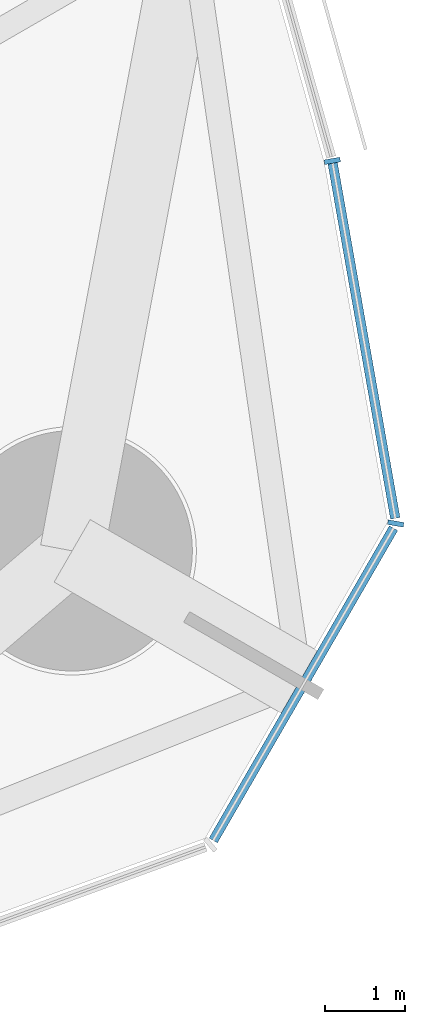
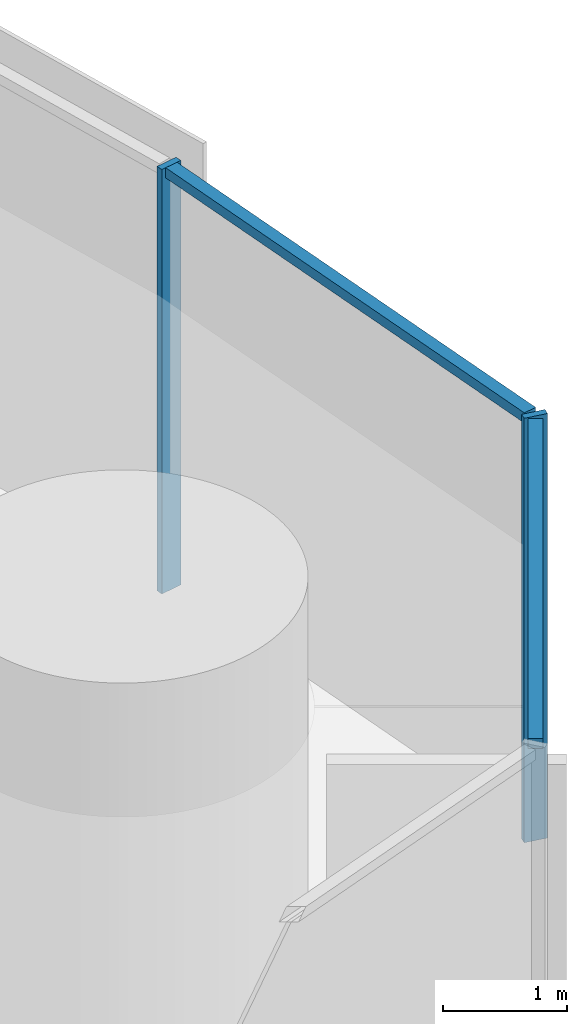
# One storey, part 9 of 19: 4 members, 1 element without a shape of its own.
"""IFC4 building model written with IfcOpenShell, lengths in metres."""

from ifc_helpers import new_model, si_unit, direction, frame, origin, origin_2d, place, context, subcontext, project, spatial, rectangle, extrude, material, material_profile, profile_set, type_object, element, aggregate, save


model = new_model("IFC4")

# Units and contexts
model_context = context("Model", 3, precision=1e-05, world=origin(), true_north=direction((0.0, 1.0)))
body_context = subcontext(model_context, "Body", "Model", "MODEL_VIEW")
ifc_project = project(units=[si_unit("LENGTHUNIT", "METRE"), si_unit("AREAUNIT", "SQUARE_METRE"), si_unit("VOLUMEUNIT", "CUBIC_METRE"), si_unit("PLANEANGLEUNIT", "RADIAN"), si_unit("MASSUNIT", "GRAM", prefix="KILO")], contexts=[model_context])

# Site, building, storey
site_placement = place(None, origin())
site = spatial("IfcSite", under=ifc_project, at=site_placement, CompositionType="ELEMENT")
building_placement = place(site_placement, origin())
building = spatial("IfcBuilding", under=site, at=building_placement, Name="Trefoil Bronze Tower", CompositionType="ELEMENT")
storey_placement = place(building_placement, frame((0.0, 0.0, 248.5)))
storey = spatial("IfcBuildingStorey", under=building, at=storey_placement, Name="L57", CompositionType="ELEMENT", Elevation=248.5)

# Curtain wall, members
ifc_material_1 = material(Name="Tinted solar-control glass", Category="glass")
curtain_wall_type = type_object("IfcCurtainWallType", Name="Bronze rounded corner curtain wall", PredefinedType="USERDEFINED", material=ifc_material_1)
curtain_wall_placement = place(storey_placement, origin())
curtain_wall = element("IfcCurtainWall", 1, at=curtain_wall_placement, inside=storey, type_object=curtain_wall_type, Name="CW-B L57 K1", ObjectType="CURTAIN WALL", PredefinedType="USERDEFINED")
ifc_material_2 = material(Name="Bronze-finish aluminium", Category="aluminium")
ifc_material_profile_1 = material_profile(ifc_material_2, rectangle(XDim=0.199951171875, YDim=0.06005859375, at=origin_2d()), Name="CW-B mullion")
ifc_profile_set_1 = profile_set([ifc_material_profile_1], Name="Bronze-finish aluminium")
member_type_1 = type_object("IfcMemberType", Name="Bronze rounded corner curtain wall mullion", PredefinedType="MULLION", material=ifc_profile_set_1)
member_1_placement = place(storey_placement, frame((32.616943359375, -16.158935546875, 0.0), z_axis=(0.0, 0.0, 1.0), x_axis=(-0.984807753012, 0.173648177667, 0.0)))
member_1 = element("IfcMember", 2, at=member_1_placement, type_object=member_type_1, Name="CW-B L57 K1 mullion 3", PredefinedType="MULLION", context=body_context, shape_type="SweptSolid", body=[
    extrude(rectangle(XDim=0.199951171875, YDim=0.06005859375, at=origin_2d()), origin(), (0.0, 0.0, 1.0), 4.179931640625),
])
member_2_placement = place(storey_placement, frame((31.824951171875, -11.63330078125, 0.0), z_axis=(0.0, 0.0, 1.0), x_axis=(-0.984807753012, -0.173648177667, 0.0)))
member_2 = element("IfcMember", 3, at=member_2_placement, type_object=member_type_1, Name="CW-B L57 K1 mullion 4", PredefinedType="MULLION", context=body_context, shape_type="SweptSolid", body=[
    extrude(rectangle(XDim=0.199951171875, YDim=0.06005859375, at=origin_2d()), origin(), (0.0, 0.0, 1.0), 4.179931640625),
])
ifc_material_3 = material(Name="Bronze-finish aluminium", Category="aluminium")
ifc_material_profile_2 = material_profile(ifc_material_3, rectangle(XDim=0.1201171875, YDim=0.10009765625, at=origin_2d()), Name="CW-B transom")
ifc_profile_set_2 = profile_set([ifc_material_profile_2], Name="Bronze-finish aluminium")
member_type_2 = type_object("IfcMemberType", Name="Bronze rounded corner curtain wall transom", PredefinedType="USERDEFINED", material=ifc_profile_set_2)
member_3_placement = place(storey_placement, frame((30.33984375, -20.114990234375, 4.1298828125), z_axis=(0.500007335828, 0.866021168401, 0.0), x_axis=(-0.866021168401, 0.500007335828, 0.0)))
member_3 = element("IfcMember", 4, at=member_3_placement, type_object=member_type_2, Name="CW-B L57 K1 transom 2", ObjectType="TRANSOM", PredefinedType="USERDEFINED", context=body_context, shape_type="SweptSolid", body=[
    extrude(rectangle(XDim=0.1201171875, YDim=0.10009765625, at=origin_2d()), origin(), (0.0, 0.0, 1.0), 4.50048828125),
])
member_4_placement = place(storey_placement, frame((32.611572265625, -16.0947265625, 4.1298828125), z_axis=(-0.173655350028, 0.984806488304, 0.0), x_axis=(-0.984806488304, -0.173655350028, 0.0)))
member_4 = element("IfcMember", 5, at=member_4_placement, type_object=member_type_2, Name="CW-B L57 K1 transom 3", ObjectType="TRANSOM", PredefinedType="USERDEFINED", context=body_context, shape_type="SweptSolid", body=[
    extrude(rectangle(XDim=0.1201171875, YDim=0.10009765625, at=origin_2d()), origin(), (0.0, 0.0, 1.0), 4.500244140625),
])
aggregate(curtain_wall, [member_1, member_2, member_3, member_4])

save(model, "model.ifc")
